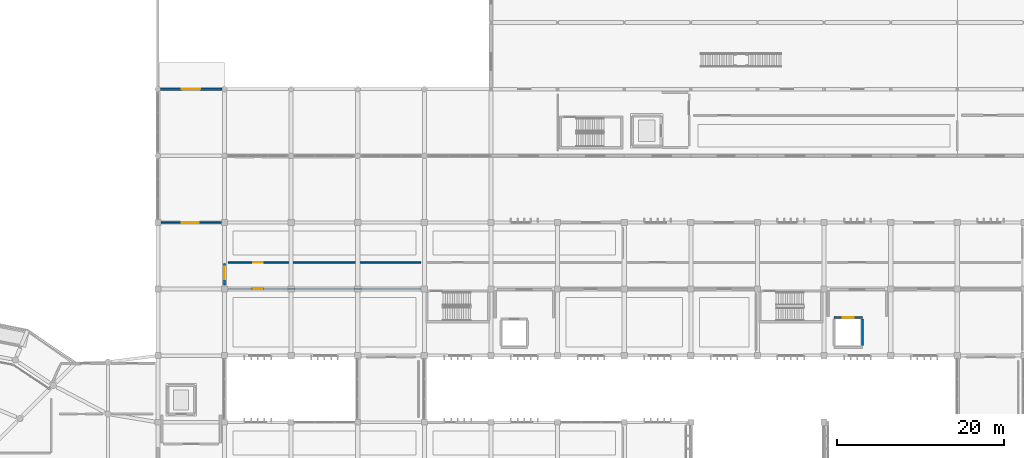
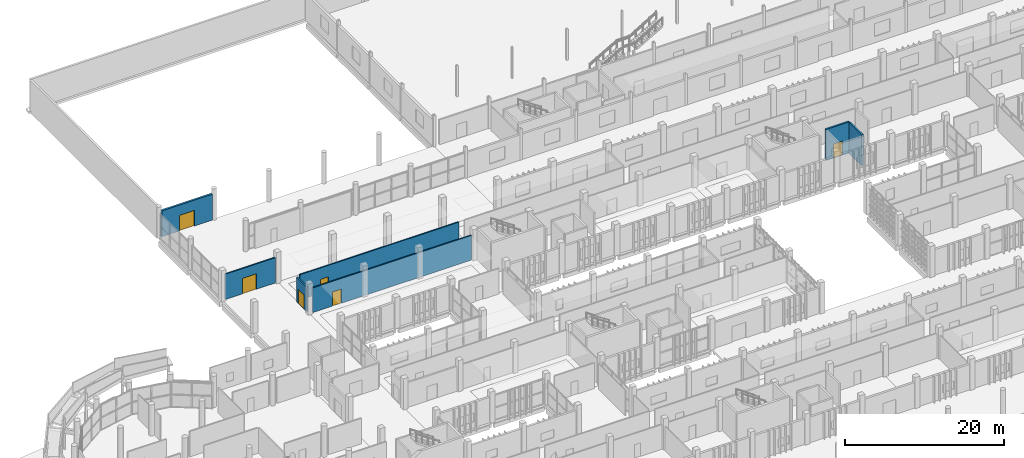
# One storey, part 88 of 117: 7 walls, 6 doors, 6 openings.
"""IFC4 building model written with IfcOpenShell, lengths in metres."""

from ifc_helpers import new_model, si_unit, direction, frame, frame_2d, origin, place, context, subcontext, project, spatial, rectangle, extrude, material, layer, layer_set, type_object, element, fill, save


model = new_model("IFC4")

# Units and contexts
model_context = context("Model", 3, precision=1e-05, world=origin(), true_north=direction((0.0, 1.0)))
body_context = subcontext(model_context, "Body", "Model", "MODEL_VIEW")
ifc_project = project(units=[si_unit("LENGTHUNIT", "METRE"), si_unit("AREAUNIT", "SQUARE_METRE"), si_unit("VOLUMEUNIT", "CUBIC_METRE"), si_unit("PLANEANGLEUNIT", "RADIAN"), si_unit("MASSUNIT", "GRAM", prefix="KILO")], contexts=[model_context])

# Site, building, storey
site_placement = place(None, origin())
site = spatial("IfcSite", under=ifc_project, at=site_placement, CompositionType="ELEMENT")
building_placement = place(site_placement, origin())
building = spatial("IfcBuilding", under=site, at=building_placement, Name="Jelvoka-Kovrelna Polytechnic", CompositionType="ELEMENT")
storey_placement = place(building_placement, origin())
storey = spatial("IfcBuildingStorey", under=building, at=storey_placement, Name="L01", CompositionType="ELEMENT", Elevation=0.0)

# Wall, opening, door
ifc_material_1 = material(Name="Concrete C35/45", Category="concrete")
ifc_layer_1 = layer(ifc_material_1, 0.219970703125)
ifc_layer_set_1 = layer_set([ifc_layer_1], Name="Concrete C35/45")
wall_type_1 = type_object("IfcWallType", Name="Wall_Compartment_220", PredefinedType="PARTITIONING", material=ifc_layer_set_1)
wall_1_placement = place(storey_placement, frame((56.0, 64.5, 0.0), z_axis=(0.0, 0.0, 1.0), x_axis=(0.0, 1.0, 0.0)))
wall_1 = element("IfcWall", 1, at=wall_1_placement, inside=storey, type_object=wall_type_1, Name="L01 interior wall 1328", PredefinedType="PARTITIONING", context=body_context, shape_type="SweptSolid", body=[
    extrude(rectangle(XDim=2.550048828125, YDim=0.219970703125, at=frame_2d((1.27490234375, 0.0))), origin(), (0.0, 0.0, 1.0), 3.760009765625),
])
opening_1_placement = place(wall_1_placement, frame((0.64990234375, 0.0, 0.0)))
opening_1 = element("IfcOpeningElement", 2, at=opening_1_placement, cuts=wall_1, Name="Opening FD-L01-480", PredefinedType="OPENING", context=body_context, shape_type="SweptSolid", body=[
    extrude(rectangle(XDim=1.5, YDim=2.199951171875, at=frame_2d((0.75, 1.10009765625))), frame((0.0, 0.119873046875, 0.0), z_axis=(0.0, -1.0, 0.0), x_axis=(1.0, 0.0, 0.0)), (0.0, 0.0, 1.0), 0.239990234375),
])
ifc_material_2 = material(Name="Paired steel stair lobby fire door", Category="steel")
door_type_1 = type_object("IfcDoorType", Name="Door_Fire_FD04", OperationType="NOTDEFINED", PredefinedType="DOOR", material=ifc_material_2)
door_1_placement = place(opening_1_placement, origin())
door_1 = element("IfcDoor", 3, at=door_1_placement, inside=storey, type_object=door_type_1, Name="L01 interior door FD-L01-480", OperationType="DOUBLE_DOOR_SINGLE_SWING", OverallHeight=2.199951171875, OverallWidth=1.5, PredefinedType="DOOR", context=body_context, shape_type="SweptSolid", body=[
    extrude(rectangle(XDim=1.5, YDim=2.199951171875, at=frame_2d((0.75, 1.10009765625))), frame((0.0, 0.02490234375, 0.0), z_axis=(0.0, -1.0, 0.0), x_axis=(1.0, 0.0, 0.0)), (0.0, 0.0, 1.0), 0.050048828125),
])
fill(opening_1, door_1)

ifc_material_3 = material(Name="Concrete C40/50", Category="concrete")
ifc_layer_2 = layer(ifc_material_3, 0.25)
ifc_layer_set_2 = layer_set([ifc_layer_2], Name="Concrete C40/50")
wall_type_2 = type_object("IfcWallType", Name="Wall_Core_250", PredefinedType="SOLIDWALL", material=ifc_layer_set_2)
wall_2_placement = place(storey_placement, frame((129.199951171875, 60.60009765625, 0.0), z_axis=(0.0, 0.0, 1.0), x_axis=(1.0, 0.0, 0.0)))
wall_2 = element("IfcWall", 4, at=wall_2_placement, inside=storey, type_object=wall_type_2, Name="L01 interior wall 0636", PredefinedType="SOLIDWALL", context=body_context, shape_type="SweptSolid", body=[
    extrude(rectangle(XDim=3.400146484375, YDim=0.25, at=frame_2d((1.7001953125, 0.0))), origin(), (0.0, 0.0, 1.0), 4.800048828125),
])
opening_2_placement = place(wall_2_placement, frame((1.050048828125, 0.0, 0.0)))
opening_2 = element("IfcOpeningElement", 5, at=opening_2_placement, cuts=wall_2, Name="Opening LD-L01-47", PredefinedType="OPENING", context=body_context, shape_type="SweptSolid", body=[
    extrude(rectangle(XDim=1.300048828125, YDim=2.199951171875, at=frame_2d((0.64990234375, 1.10009765625))), frame((0.0, 0.135009765625, 0.0), z_axis=(0.0, -1.0, 0.0), x_axis=(1.0, 0.0, 0.0)), (0.0, 0.0, 1.0), 0.27001953125),
])
ifc_material_4 = material(Name="Heavy-duty stainless goods lift landing door", Category="wood")
door_type_2 = type_object("IfcDoorType", Name="Door_Lift_LD02", OperationType="NOTDEFINED", PredefinedType="DOOR", material=ifc_material_4)
door_2_placement = place(opening_2_placement, origin())
door_2 = element("IfcDoor", 6, at=door_2_placement, inside=storey, type_object=door_type_2, Name="L01 lift landing sliding door LD-L01-47", OperationType="DOUBLE_DOOR_SLIDING", OverallHeight=2.199951171875, OverallWidth=1.300048828125, PredefinedType="DOOR", context=body_context, shape_type="SweptSolid", body=[
    extrude(rectangle(XDim=1.300048828125, YDim=2.199951171875, at=frame_2d((0.64990234375, 1.10009765625))), frame((0.0, 0.02490234375, 0.0), z_axis=(0.0, -1.0, 0.0), x_axis=(1.0, 0.0, 0.0)), (0.0, 0.0, 1.0), 0.050048828125),
])
fill(opening_2, door_2)

# Wall
wall_3_placement = place(storey_placement, frame((132.60009765625, 57.199951171875, 0.0), z_axis=(0.0, 0.0, 1.0), x_axis=(0.0, 1.0, 0.0)))
element("IfcWall", 7, at=wall_3_placement, inside=storey, type_object=wall_type_2, Name="L01 interior wall 0638", PredefinedType="SOLIDWALL", context=body_context, shape_type="SweptSolid", body=[
    extrude(rectangle(XDim=3.199951171875, YDim=0.25, at=frame_2d((1.60009765625, 0.0))), origin(), (0.0, 0.0, 1.0), 4.800048828125),
])

# Wall, opening, door
ifc_material_5 = material(Name="Autoclaved aerated concrete blockwork", Category="masonry")
ifc_layer_3 = layer(ifc_material_5, 0.179931640625)
ifc_layer_set_3 = layer_set([ifc_layer_3], Name="Autoclaved aerated concrete blockwork")
wall_type_3 = type_object("IfcWallType", Name="Wall_Corridor_180", PredefinedType="PARTITIONING", material=ifc_layer_set_3)
wall_4_placement = place(storey_placement, frame((56.429931640625, 64.0, 0.0), z_axis=(0.0, 0.0, 1.0), x_axis=(1.0, 0.0, 0.0)))
wall_4 = element("IfcWall", 8, at=wall_4_placement, inside=storey, type_object=wall_type_3, Name="L01 interior wall 0884", PredefinedType="PARTITIONING", context=body_context, shape_type="SweptSolid", body=[
    extrude(rectangle(XDim=23.14013671875, YDim=0.179931640625, at=frame_2d((11.570068359375, 0.0))), origin(), (0.0, 0.0, 1.0), 3.81005859375),
])
opening_3_placement = place(wall_4_placement, frame((2.919921875, 0.0, 0.0)))
opening_3 = element("IfcOpeningElement", 9, at=opening_3_placement, cuts=wall_4, Name="Opening D-L01-178", PredefinedType="OPENING", context=body_context, shape_type="SweptSolid", body=[
    extrude(rectangle(XDim=1.300048828125, YDim=2.179931640625, at=frame_2d((0.64990234375, 1.08984375))), frame((0.0, 0.099853515625, 0.0), z_axis=(0.0, -1.0, 0.0), x_axis=(1.0, 0.0, 0.0)), (0.0, 0.0, 1.0), 0.199951171875),
])
ifc_material_6 = material(Name="Hardwood fire-resisting reading hall door", Category="wood")
door_type_3 = type_object("IfcDoorType", Name="Door_Fire_FD30_05", OperationType="NOTDEFINED", PredefinedType="DOOR", material=ifc_material_6)
door_3_placement = place(opening_3_placement, origin())
door_3 = element("IfcDoor", 10, at=door_3_placement, inside=storey, type_object=door_type_3, Name="L01 interior door D-L01-178", OperationType="SINGLE_SWING_LEFT", OverallHeight=2.179931640625, OverallWidth=1.300048828125, PredefinedType="DOOR", context=body_context, shape_type="SweptSolid", body=[
    extrude(rectangle(XDim=1.300048828125, YDim=2.179931640625, at=frame_2d((0.64990234375, 1.08984375))), frame((0.0, 0.02490234375, 0.0), z_axis=(0.0, -1.0, 0.0), x_axis=(1.0, 0.0, 0.0)), (0.0, 0.0, 1.0), 0.050048828125),
])
fill(opening_3, door_3)

wall_5_placement = place(storey_placement, frame((56.429931640625, 67.199951171875, 0.0), z_axis=(0.0, 0.0, 1.0), x_axis=(1.0, 0.0, 0.0)))
wall_5 = element("IfcWall", 11, at=wall_5_placement, inside=storey, type_object=wall_type_3, Name="L01 interior wall 0892", PredefinedType="PARTITIONING", context=body_context, shape_type="SweptSolid", body=[
    extrude(rectangle(XDim=23.14013671875, YDim=0.179931640625, at=frame_2d((11.570068359375, 0.0))), origin(), (0.0, 0.0, 1.0), 3.89990234375),
])
opening_4_placement = place(wall_5_placement, frame((2.9951171875, 0.0, 0.0)))
opening_4 = element("IfcOpeningElement", 12, at=opening_4_placement, cuts=wall_5, Name="Opening D-L01-184", PredefinedType="OPENING", context=body_context, shape_type="SweptSolid", body=[
    extrude(rectangle(XDim=1.14990234375, YDim=2.14990234375, at=frame_2d((0.574951171875, 1.074951171875))), frame((0.0, 0.099853515625, 0.0), z_axis=(0.0, -1.0, 0.0), x_axis=(1.0, 0.0, 0.0)), (0.0, 0.0, 1.0), 0.199951171875),
])
ifc_material_7 = material(Name="Hardwood fire-resisting laboratory door", Category="wood")
door_type_4 = type_object("IfcDoorType", Name="Door_Fire_FD30_03", OperationType="NOTDEFINED", PredefinedType="DOOR", material=ifc_material_7)
door_4_placement = place(opening_4_placement, origin())
door_4 = element("IfcDoor", 13, at=door_4_placement, inside=storey, type_object=door_type_4, Name="L01 interior door D-L01-184", OperationType="SINGLE_SWING_RIGHT", OverallHeight=2.14990234375, OverallWidth=1.14990234375, PredefinedType="DOOR", context=body_context, shape_type="SweptSolid", body=[
    extrude(rectangle(XDim=1.14990234375, YDim=2.14990234375, at=frame_2d((0.574951171875, 1.074951171875))), frame((0.0, 0.02490234375, 0.0), z_axis=(0.0, -1.0, 0.0), x_axis=(1.0, 0.0, 0.0)), (0.0, 0.0, 1.0), 0.050048828125),
])
fill(opening_4, door_4)

ifc_material_8 = material(Name="Precast concrete C40/50", Category="concrete")
ifc_layer_4 = layer(ifc_material_8, 0.18505859375)
ifc_layer_set_4 = layer_set([ifc_layer_4], Name="Precast concrete C40/50")
wall_type_4 = type_object("IfcWallType", Name="Wall_Ext_White_260", PredefinedType="STANDARD", material=ifc_layer_set_4)
wall_6_placement = place(storey_placement, frame((48.346923828125, 72.0, 0.0), z_axis=(0.0, 0.0, 1.0), x_axis=(1.0, 0.0, 0.0)))
wall_6 = element("IfcWall", 14, at=wall_6_placement, inside=storey, type_object=wall_type_4, Name="L01 exterior wall 0853", PredefinedType="STANDARD", context=body_context, shape_type="SweptSolid", body=[
    extrude(rectangle(XDim=7.30615234375, YDim=0.18505859375, at=frame_2d((3.653076171875, 0.0))), origin(), (0.0, 0.0, 1.0), 3.909912109375),
])
opening_5_placement = place(wall_6_placement, frame((2.532958984375, 0.0, 0.0)))
opening_5 = element("IfcOpeningElement", 15, at=opening_5_placement, cuts=wall_6, Name="Opening E-L01-019", PredefinedType="OPENING", context=body_context, shape_type="SweptSolid", body=[
    extrude(rectangle(XDim=2.0, YDim=2.39990234375, at=frame_2d((1.0, 1.199951171875))), frame((0.0, 0.1025390625, 0.0), z_axis=(0.0, -1.0, 0.0), x_axis=(1.0, 0.0, 0.0)), (0.0, 0.0, 1.0), 0.205078125),
])
ifc_material_9 = material(Name="Powder-coated aluminium and laminated safety glass", Category="aluminium")
door_type_5 = type_object("IfcDoorType", Name="Door_Ext_Exit_2000x2400", OperationType="NOTDEFINED", PredefinedType="DOOR", material=ifc_material_9)
door_5_placement = place(opening_5_placement, origin())
door_5 = element("IfcDoor", 16, at=door_5_placement, inside=storey, type_object=door_type_5, Name="L01 exterior door E-L01-019", OperationType="DOUBLE_DOOR_SINGLE_SWING", OverallHeight=2.39990234375, OverallWidth=2.0, PredefinedType="DOOR", context=body_context, shape_type="SweptSolid", body=[
    extrude(rectangle(XDim=2.0, YDim=2.39990234375, at=frame_2d((1.0, 1.199951171875))), frame((0.0, 0.02490234375, 0.0), z_axis=(0.0, -1.0, 0.0), x_axis=(1.0, 0.0, 0.0)), (0.0, 0.0, 1.0), 0.050048828125),
])
fill(opening_5, door_5)

ifc_material_10 = material(Name="Precast concrete C40/50", Category="concrete")
ifc_layer_5 = layer(ifc_material_10, 0.300048828125)
ifc_layer_set_5 = layer_set([ifc_layer_5], Name="Precast concrete C40/50")
wall_type_5 = type_object("IfcWallType", Name="Wall_Ext_White_300", PredefinedType="STANDARD", material=ifc_layer_set_5)
wall_7_placement = place(storey_placement, frame((48.322021484375, 88.0, 0.0), z_axis=(0.0, 0.0, 1.0), x_axis=(1.0, 0.0, 0.0)))
wall_7 = element("IfcWall", 17, at=wall_7_placement, inside=storey, type_object=wall_type_5, Name="L01 exterior wall 0859", PredefinedType="STANDARD", context=body_context, shape_type="SweptSolid", body=[
    extrude(rectangle(XDim=7.35595703125, YDim=0.300048828125, at=frame_2d((3.677978515625, 0.0))), origin(), (0.0, 0.0, 1.0), 3.985107421875),
])
opening_6_placement = place(wall_7_placement, frame((2.55810546875, 0.0, 0.0)))
opening_6 = element("IfcOpeningElement", 18, at=opening_6_placement, cuts=wall_7, Name="Opening E-L01-020", PredefinedType="OPENING", context=body_context, shape_type="SweptSolid", body=[
    extrude(rectangle(XDim=2.199951171875, YDim=2.39990234375, at=frame_2d((1.10009765625, 1.199951171875))), frame((0.0, 0.159912109375, 0.0), z_axis=(0.0, -1.0, 0.0), x_axis=(1.0, 0.0, 0.0)), (0.0, 0.0, 1.0), 0.320068359375),
])
ifc_material_11 = material(Name="Powder-coated aluminium and laminated safety glass", Category="aluminium")
door_type_6 = type_object("IfcDoorType", Name="Door_Ext_Exit_2200x2400", OperationType="NOTDEFINED", PredefinedType="DOOR", material=ifc_material_11)
door_6_placement = place(opening_6_placement, origin())
door_6 = element("IfcDoor", 19, at=door_6_placement, inside=storey, type_object=door_type_6, Name="L01 exterior door E-L01-020", OperationType="DOUBLE_DOOR_SINGLE_SWING", OverallHeight=2.39990234375, OverallWidth=2.199951171875, PredefinedType="DOOR", context=body_context, shape_type="SweptSolid", body=[
    extrude(rectangle(XDim=2.199951171875, YDim=2.39990234375, at=frame_2d((1.10009765625, 1.199951171875))), frame((0.0, 0.02490234375, 0.0), z_axis=(0.0, -1.0, 0.0), x_axis=(1.0, 0.0, 0.0)), (0.0, 0.0, 1.0), 0.050048828125),
])
fill(opening_6, door_6)

save(model, "model.ifc")
